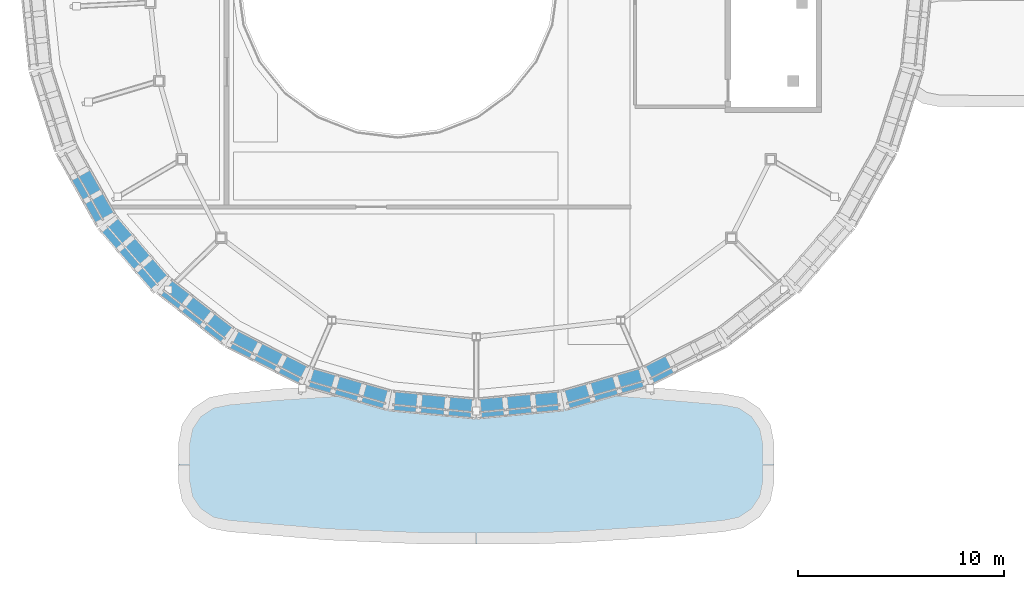
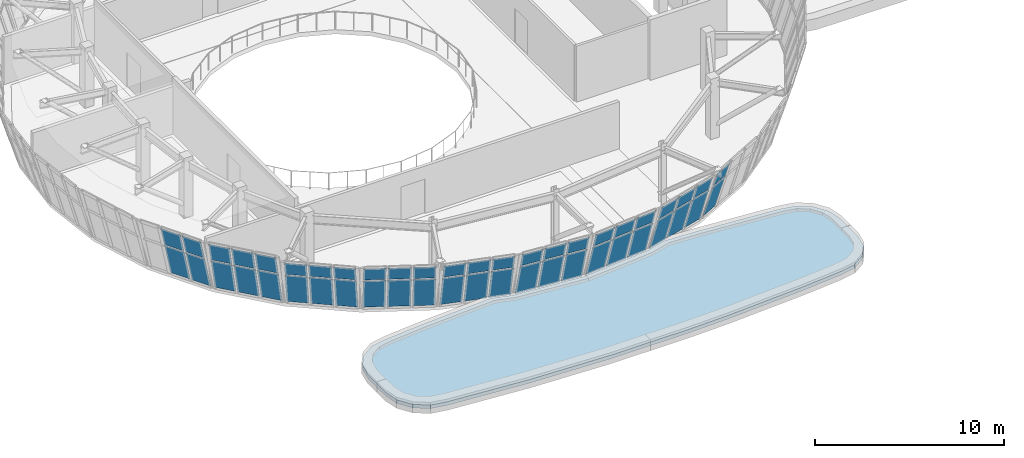
# One storey, part 62 of 111: 48 plates, 1 slab, 9 elements without a shape of their own.
"""IFC4 building model written with IfcOpenShell, lengths in metres."""

from ifc_helpers import new_model, si_unit, direction, frame, origin, place, context, subcontext, project, spatial, polyline, outline, extrude, material, layer, layer_set, type_object, element, aggregate, save


model = new_model("IFC4")

# Units and contexts
model_context = context("Model", 3, precision=1e-05, world=origin(), true_north=direction((0.0, 1.0)))
body_context = subcontext(model_context, "Body", "Model", "MODEL_VIEW")
ifc_project = project(units=[si_unit("LENGTHUNIT", "METRE"), si_unit("AREAUNIT", "SQUARE_METRE"), si_unit("VOLUMEUNIT", "CUBIC_METRE"), si_unit("PLANEANGLEUNIT", "RADIAN"), si_unit("MASSUNIT", "GRAM", prefix="KILO")], contexts=[model_context])

# Site, building, storey
site_placement = place(None, origin())
site = spatial("IfcSite", under=ifc_project, at=site_placement, CompositionType="ELEMENT")
building_placement = place(site_placement, origin())
building = spatial("IfcBuilding", under=site, at=building_placement, Name="Corveleigh Park Community Centre", CompositionType="ELEMENT")
storey_placement = place(building_placement, frame((0.0, 0.0, 4.800048828125)))
storey = spatial("IfcBuildingStorey", under=building, at=storey_placement, Name="L01", CompositionType="ELEMENT", Elevation=4.800048828125)

# Curtain wall, plates
ifc_material_1 = material(Name="Anodised aluminium 6063-T6", Category="aluminium")
curtain_wall_type = type_object("IfcCurtainWallType", Name="CW-SYS-V1-DRUM", PredefinedType="NOTDEFINED", material=ifc_material_1)
curtain_wall_1_placement = place(storey_placement, origin())
curtain_wall_1 = element("IfcCurtainWall", 1, at=curtain_wall_1_placement, inside=storey, type_object=curtain_wall_type, Name="Main Hall Flared Drum CW 180", PredefinedType="NOTDEFINED")
ifc_material_2 = material(Name="Low-E double glazing", Category="glass")
ifc_layer_1 = layer(ifc_material_2, 0.02392578125, Name="Low-E double glazing", Category="glass")
ifc_layer_set_1 = layer_set([ifc_layer_1], Name="Low-E double glazing")
plate_type = type_object("IfcPlateType", Name="CWP-GLZ-24", PredefinedType="CURTAIN_PANEL", material=ifc_layer_set_1)
plate_1_placement = place(storey_placement, frame((12.250244140625, 18.7373046875, 0.079833984375), z_axis=(0.83618582548, 0.469189956061, 0.28399656758), x_axis=(0.489332170928, -0.872097486482, 2.3789309e-05)))
plate_1 = element("IfcPlate", 2, at=plate_1_placement, type_object=plate_type, Name="CW02 panel 2.1", PredefinedType="CURTAIN_PANEL", context=body_context, shape_type="SweptSolid", body=[
    extrude(outline(polyline([(0.0, 0.0), (1.2185521289219146, 2.7755575615628914e-17), (1.218782964132827, -2.221570464498728), (0.0001113693488693141, -2.2216309341897587), (0.0, 0.0)])), origin(), (0.0, 0.0, -1.0), 0.02392578125),
])
plate_2_placement = place(storey_placement, frame((11.67919921875, 18.4169921875, 2.2900390625), z_axis=(0.836163859069, 0.469219778961, 0.28401197126), x_axis=(0.489368300675, -0.872077213391, 1.3346287e-05)))
plate_2 = element("IfcPlate", 3, at=plate_2_placement, type_object=plate_type, Name="CW02 panel 2.2", PredefinedType="CURTAIN_PANEL", context=body_context, shape_type="SweptSolid", body=[
    extrude(outline(polyline([(0.0, 0.0), (1.2188845082164932, 2.7755575615628914e-17), (1.2188256341303279, -1.295265161153256), (0.00015403538975997775, -1.2952990906688968), (0.0, 0.0)])), origin(), (0.0, 0.0, -1.0), 0.02392578125),
])
plate_3_placement = place(storey_placement, frame((12.88818359375, 17.600341796875, 0.079833984375), z_axis=(0.836191551865, 0.469194712251, 0.283971848226), x_axis=(0.48932960339, -0.872098926594, 3.847031e-05)))
plate_3 = element("IfcPlate", 4, at=plate_3_placement, type_object=plate_type, Name="CW02 panel 3.1", PredefinedType="CURTAIN_PANEL", context=body_context, shape_type="SweptSolid", body=[
    extrude(outline(polyline([(0.0, 0.0), (1.1762474523285567, 0.0), (1.1762985021899144, -2.221536545792614), (0.00014449940315540993, -2.2216309289120977), (0.0, 0.0)])), origin(), (0.0, 0.0, -1.0), 0.02392578125),
])
plate_4_placement = place(storey_placement, frame((12.317138671875, 17.280029296875, 2.2900390625), z_axis=(0.836138720718, 0.469264572999, 0.284011972009), x_axis=(0.48941489379, -0.872051065905, 1.3829984e-05)))
plate_4 = element("IfcPlate", 5, at=plate_4_placement, type_object=plate_type, Name="CW02 panel 3.2", PredefinedType="CURTAIN_PANEL", context=body_context, shape_type="SweptSolid", body=[
    extrude(outline(polyline([(0.0, 0.0), (1.1763669185761039, 0.0), (1.1762889933464469, -1.2952651601469718), (0.00013497786260468692, -1.2952990927947576), (0.0, 0.0)])), origin(), (0.0, 0.0, -1.0), 0.02392578125),
])
aggregate(curtain_wall_1, [plate_1, plate_2, plate_3, plate_4])

curtain_wall_2_placement = place(storey_placement, origin())
curtain_wall_2 = element("IfcCurtainWall", 6, at=curtain_wall_2_placement, inside=storey, type_object=curtain_wall_type, Name="Main Hall Flared Drum CW 181", PredefinedType="NOTDEFINED")
plate_5_placement = place(storey_placement, frame((13.593505859375, 16.38916015625, 0.079833984375), z_axis=(0.726283157849, 0.625960189454, 0.28405389602), x_axis=(0.652856372354, -0.757481720402, -1.8258943e-05)))
plate_5 = element("IfcPlate", 7, at=plate_5_placement, type_object=plate_type, Name="CW02 panel 1.1", PredefinedType="CURTAIN_PANEL", context=body_context, shape_type="SweptSolid", body=[
    extrude(outline(polyline([(0.0, 0.0), (1.1887263165421045, 0.0), (1.188769543516847, -2.2216626897569154), (-0.00014170508590239454, -2.2216174115202767), (0.0, 0.0)])), origin(), (0.0, 0.0, -1.0), 0.02392578125),
])
plate_6_placement = place(storey_placement, frame((13.09765625, 15.961669921875, 2.2900390625), z_axis=(0.726225860196, 0.625995664198, 0.284122206785), x_axis=(0.652903056382, -0.757441482207, 0.0)))
plate_6 = element("IfcPlate", 8, at=plate_6_placement, type_object=plate_type, Name="CW02 panel 1.2", PredefinedType="CURTAIN_PANEL", context=body_context, shape_type="SweptSolid", body=[
    extrude(outline(polyline([(0.0, 0.0), (1.1887263189979533, 0.0), (1.188654817070141, -1.2953262483496686), (-7.150192781239224e-05, -1.2953262483496686), (0.0, 0.0)])), origin(), (0.0, 0.0, -1.0), 0.02392578125),
])
plate_7_placement = place(storey_placement, frame((14.425048828125, 15.42431640625, 0.079833984375), z_axis=(0.726283689253, 0.625991897085, 0.283982653535), x_axis=(0.652875562368, -0.757465180483, -2.0447564e-05)))
plate_7 = element("IfcPlate", 9, at=plate_7_placement, type_object=plate_type, Name="CW02 panel 2.1", PredefinedType="CURTAIN_PANEL", context=body_context, shape_type="SweptSolid", body=[
    extrude(outline(polyline([(0.0, 0.0), (1.2313076700009635, 2.7755575615628914e-17), (1.2311453173061309, -2.221617409652362), (-2.9592469889881844e-06, -2.2215648964267993), (0.0, 0.0)])), origin(), (0.0, 0.0, -1.0), 0.02392578125),
])
plate_8_placement = place(storey_placement, frame((13.92919921875, 14.996826171875, 2.2900390625), z_axis=(0.72626710057, 0.625977599117, 0.28405658597), x_axis=(0.652875564757, -0.757465178424, -2.045242e-05)))
plate_8 = element("IfcPlate", 10, at=plate_8_placement, type_object=plate_type, Name="CW02 panel 2.2", PredefinedType="CURTAIN_PANEL", context=body_context, shape_type="SweptSolid", body=[
    extrude(outline(polyline([(0.0, 0.0), (1.2313076700011092, -2.7755575615628914e-17), (1.2312241248729792, -1.2953262445949825), (7.58483202969595e-05, -1.2952737176980542), (0.0, 0.0)])), origin(), (0.0, 0.0, -1.0), 0.02392578125),
])
plate_9_placement = place(storey_placement, frame((15.284423828125, 14.42724609375, 0.079833984375), z_axis=(0.726248591383, 0.626015258136, 0.284020914889), x_axis=(0.652903056382, -0.757441482207, 0.0)))
plate_9 = element("IfcPlate", 11, at=plate_9_placement, type_object=plate_type, Name="CW02 panel 3.1", PredefinedType="CURTAIN_PANEL", context=body_context, shape_type="SweptSolid", body=[
    extrude(outline(polyline([(0.0, 0.0), (1.1887263189979533, 0.0), (1.1885846188240419, -2.221617412834647), (-0.00014170017391160777, -2.221617412834647), (0.0, 0.0)])), origin(), (0.0, 0.0, -1.0), 0.02392578125),
])
plate_10_placement = place(storey_placement, frame((14.78857421875, 14.0, 2.2900390625), z_axis=(0.726225860196, 0.625995664198, 0.284122206785), x_axis=(0.652903056382, -0.757441482207, 0.0)))
plate_10 = element("IfcPlate", 12, at=plate_10_placement, type_object=plate_type, Name="CW02 panel 3.2", PredefinedType="CURTAIN_PANEL", context=body_context, shape_type="SweptSolid", body=[
    extrude(outline(polyline([(0.0, 0.0), (1.1887263189979533, 0.0), (1.188654817070141, -1.2953262483496686), (-7.150192781239224e-05, -1.2953262483496686), (0.0, 0.0)])), origin(), (0.0, 0.0, -1.0), 0.02392578125),
])
aggregate(curtain_wall_2, [plate_5, plate_6, plate_7, plate_8, plate_9, plate_10])

curtain_wall_3_placement = place(storey_placement, origin())
curtain_wall_3 = element("IfcCurtainWall", 13, at=curtain_wall_3_placement, inside=storey, type_object=curtain_wall_type, Name="Main Hall Flared Drum CW 182", PredefinedType="NOTDEFINED")
plate_11_placement = place(storey_placement, frame((16.223388671875, 13.37109375, 0.079833984375), z_axis=(0.590486787937, 0.755468582224, 0.283888313505), x_axis=(0.78787714697, -0.615832444562, 3.8810959e-05)))
plate_11 = element("IfcPlate", 14, at=plate_11_placement, type_object=plate_type, Name="CW02 panel 1.1", PredefinedType="CURTAIN_PANEL", context=body_context, shape_type="SweptSolid", body=[
    extrude(outline(polyline([(0.0, 0.0), (1.2018045771152082, -5.551115123125783e-17), (1.2020079429894235, -2.2214777774251235), (0.00016136277304139586, -2.2215750682336424), (0.0, 0.0)])), origin(), (0.0, 0.0, -1.0), 0.02392578125),
])
plate_12_placement = place(storey_placement, frame((15.8203125, 12.85546875, 2.2900390625), z_axis=(0.590506992761, 0.755467224578, 0.28384989711), x_axis=(0.787873462952, -0.615837158977, 0.0)))
plate_12 = element("IfcPlate", 15, at=plate_12_placement, type_object=plate_type, Name="CW02 panel 1.2", PredefinedType="CURTAIN_PANEL", context=body_context, shape_type="SweptSolid", body=[
    extrude(outline(polyline([(0.0, 0.0), (1.2019969308610854, -2.7755575615628914e-17), (1.2020138403750338, -0.9344304057252131), (1.6909513948476507e-05, -0.9344304057252131), (0.0, 0.0)])), origin(), (0.0, 0.0, -1.0), 0.02392578125),
])
plate_13_placement = place(storey_placement, frame((17.2373046875, 12.57861328125, 0.079833984375), z_axis=(0.590517244095, 0.75543308429, 0.283919424462), x_axis=(0.787850934094, -0.615865979905, 2.1042411e-05)))
plate_13 = element("IfcPlate", 16, at=plate_13_placement, type_object=plate_type, Name="CW02 panel 2.1", PredefinedType="CURTAIN_PANEL", context=body_context, shape_type="SweptSolid", body=[
    extrude(outline(polyline([(0.0, 0.0), (1.244244338698588, 2.7755575615628914e-17), (1.2442443455330832, -2.2215204653159235), (0.0001503647397453133, -2.2215750731669646), (0.0, 0.0)])), origin(), (0.0, 0.0, -1.0), 0.02392578125),
])
plate_14_placement = place(storey_placement, frame((16.834228515625, 12.06298828125, 2.2900390625), z_axis=(0.59052918009, 0.755422084311, 0.283923866551), x_axis=(0.787847379464, -0.615870527304, -1.6446766e-05)))
plate_14 = element("IfcPlate", 17, at=plate_14_placement, type_object=plate_type, Name="CW02 panel 2.2", PredefinedType="CURTAIN_PANEL", context=body_context, shape_type="SweptSolid", body=[
    extrude(outline(polyline([(0.0, 0.0), (1.2444366848470259, 0.0), (1.24425774624839, -0.9344730904812866), (1.3406952990957478e-05, -0.9344304030015121), (0.0, 0.0)])), origin(), (0.0, 0.0, -1.0), 0.02392578125),
])
plate_15_placement = place(storey_placement, frame((18.28466796875, 11.759765625, 0.079833984375), z_axis=(0.590528371741, 0.755424385819, 0.283919424272), x_axis=(0.787849672837, -0.615867593348, -2.1787964e-05)))
plate_15 = element("IfcPlate", 18, at=plate_15_placement, type_object=plate_type, Name="CW02 panel 3.1", PredefinedType="CURTAIN_PANEL", context=body_context, shape_type="SweptSolid", body=[
    extrude(outline(polyline([(0.0, 0.0), (1.2016542252682703, -5.551115123125783e-17), (1.2017146477753406, -2.2215750774339527), (-8.993579208681375e-05, -2.2215204634954917), (0.0, 0.0)])), origin(), (0.0, 0.0, -1.0), 0.02392578125),
])
plate_16_placement = place(storey_placement, frame((17.881591796875, 11.244384765625, 2.2900390625), z_axis=(0.590601501057, 0.755393344689, 0.283849892987), x_axis=(0.787796412937, -0.615935720481, 0.0)))
plate_16 = element("IfcPlate", 19, at=plate_16_placement, type_object=plate_type, Name="CW02 panel 3.2", PredefinedType="CURTAIN_PANEL", context=body_context, shape_type="SweptSolid", body=[
    extrude(outline(polyline([(0.0, 0.0), (1.2018045883461863, 0.0), (1.2018546802594696, -0.934430404535575), (5.009191328347873e-05, -0.934430404535575), (0.0, 0.0)])), origin(), (0.0, 0.0, -1.0), 0.02392578125),
])
aggregate(curtain_wall_3, [plate_11, plate_12, plate_13, plate_14, plate_15, plate_16])

curtain_wall_4_placement = place(storey_placement, origin())
curtain_wall_4 = element("IfcCurtainWall", 20, at=curtain_wall_4_placement, inside=storey, type_object=curtain_wall_type, Name="Main Hall Flared Drum CW 183", PredefinedType="NOTDEFINED")
plate_17_placement = place(storey_placement, frame((19.419921875, 10.900390625, 0.079833984375), z_axis=(0.43527937926, 0.854365902958, 0.28388512792), x_axis=(0.891024153867, -0.453955897886, 0.0)))
plate_17 = element("IfcPlate", 21, at=plate_17_placement, type_object=plate_type, Name="CW02 panel 1.1", PredefinedType="CURTAIN_PANEL", context=body_context, shape_type="SweptSolid", body=[
    extrude(outline(polyline([(0.0, 0.0), (1.2143680340247587, 0.0), (1.21454532128109, -2.2215242432618902), (0.00017728725633131548, -2.2215242432618902), (0.0, 0.0)])), origin(), (0.0, 0.0, -1.0), 0.02392578125),
])
plate_18_placement = place(storey_placement, frame((19.123046875, 10.317138671875, 2.2900390625), z_axis=(0.435134371748, 0.85445969676, 0.283825131263), x_axis=(0.891105466146, -0.453796262882, 0.0)))
plate_18 = element("IfcPlate", 22, at=plate_18_placement, type_object=plate_type, Name="CW02 panel 1.2", PredefinedType="CURTAIN_PANEL", context=body_context, shape_type="SweptSolid", body=[
    extrude(outline(polyline([(0.0, 0.0), (1.214257224433932, -2.7755575615628914e-17), (1.2142474069679823, -0.9344232616394489), (-9.817465949718312e-06, -0.9344232616394489), (0.0, 0.0)])), origin(), (0.0, 0.0, -1.0), 0.02392578125),
])
plate_19_placement = place(storey_placement, frame((20.577880859375, 10.310546875, 0.079833984375), z_axis=(0.435129928287, 0.854426789834, 0.283930988662), x_axis=(0.89110027264, -0.453806461061, 0.0)))
plate_19 = element("IfcPlate", 23, at=plate_19_placement, type_object=plate_type, Name="CW02 panel 2.1", PredefinedType="CURTAIN_PANEL", context=body_context, shape_type="SweptSolid", body=[
    extrude(outline(polyline([(0.0, 0.0), (1.2567306747164828, 0.0), (1.256584642869759, -2.2215557040951697), (-0.00014603184672390412, -2.2215557040951697), (0.0, 0.0)])), origin(), (0.0, 0.0, -1.0), 0.02392578125),
])
plate_20_placement = place(storey_placement, frame((20.28076171875, 9.7275390625, 2.2900390625), z_axis=(0.435203722068, 0.854388817943, 0.283932153994), x_axis=(0.891064158349, -0.453877367965, -2.3563401e-05)))
plate_20 = element("IfcPlate", 24, at=plate_20_placement, type_object=plate_type, Name="CW02 panel 2.2", PredefinedType="CURTAIN_PANEL", context=body_context, shape_type="SweptSolid", body=[
    extrude(outline(polyline([(0.0, 0.0), (1.2567306703887642, 2.7755575615628914e-17), (1.2568346893855358, -0.9344850263587496), (-6.790907516905907e-06, -0.9344232558458819), (0.0, 0.0)])), origin(), (0.0, 0.0, -1.0), 0.02392578125),
])
plate_21_placement = place(storey_placement, frame((21.7734375, 9.70166015625, 0.079833984375), z_axis=(0.435208898951, 0.854416761972, 0.283840115444), x_axis=(0.891061536117, -0.45388251592, 2.4378292e-05)))
plate_21 = element("IfcPlate", 25, at=plate_21_placement, type_object=plate_type, Name="CW02 panel 3.1", PredefinedType="CURTAIN_PANEL", context=body_context, shape_type="SweptSolid", body=[
    extrude(outline(polyline([(0.0, 0.0), (1.2143680295457768, -2.7755575615628914e-17), (1.2144344966836846, -2.221462495599473), (0.0001772782990212701, -2.2215242408142264), (0.0, 0.0)])), origin(), (0.0, 0.0, -1.0), 0.02392578125),
])
plate_22_placement = place(storey_placement, frame((21.4765625, 9.11865234375, 2.2900390625), z_axis=(0.435150225044, 0.85439795017, 0.283986662343), x_axis=(0.89108056881, -0.453845148189, 3.6812495e-05)))
plate_22 = element("IfcPlate", 26, at=plate_22_placement, type_object=plate_type, Name="CW02 panel 3.2", PredefinedType="CURTAIN_PANEL", context=body_context, shape_type="SweptSolid", body=[
    extrude(outline(polyline([(0.0, 0.0), (1.2143680238220629, -2.7755575615628914e-17), (1.2144057398570243, -0.9344232476705264), (-6.903089390097042e-05, -0.934516498744507), (0.0, 0.0)])), origin(), (0.0, 0.0, -1.0), 0.02392578125),
])
aggregate(curtain_wall_4, [plate_17, plate_18, plate_19, plate_20, plate_21, plate_22])

curtain_wall_5_placement = place(storey_placement, origin())
curtain_wall_5 = element("IfcCurtainWall", 27, at=curtain_wall_5_placement, inside=storey, type_object=curtain_wall_type, Name="Main Hall Flared Drum CW 184", PredefinedType="NOTDEFINED")
plate_23_placement = place(storey_placement, frame((23.06298828125, 9.068603515625, 0.079833984375), z_axis=(0.266088376999, 0.921207727639, 0.283854360832), x_axis=(0.960727596195, -0.277493215731, -3.365145e-05)))
plate_23 = element("IfcPlate", 28, at=plate_23_placement, type_object=plate_type, Name="CW02 panel 1.1", PredefinedType="CURTAIN_PANEL", context=body_context, shape_type="SweptSolid", body=[
    extrude(outline(polyline([(0.0, 0.0), (1.2225338237170578, 0.0), (1.2224368671908592, -2.221546043180858), (6.98487424693186e-05, -2.2214602393890073), (0.0, 0.0)])), origin(), (0.0, 0.0, -1.0), 0.02392578125),
])
plate_24_placement = place(storey_placement, frame((22.881591796875, 8.43994140625, 2.2900390625), z_axis=(0.265995449782, 0.921217502645, 0.283909727758), x_axis=(0.960750831405, -0.277412760877, 7.542008e-06)))
plate_24 = element("IfcPlate", 29, at=plate_24_placement, type_object=plate_type, Name="CW02 panel 1.2", PredefinedType="CURTAIN_PANEL", context=body_context, shape_type="SweptSolid", body=[
    extrude(outline(polyline([(0.0, 0.0), (1.2222992734172373, -1.3877787807814457e-17), (1.2224117248995803, -0.9344380529734532), (-0.00012210682610552402, -0.934457283229617), (0.0, 0.0)])), origin(), (0.0, 0.0, -1.0), 0.02392578125),
])
plate_25_placement = place(storey_placement, frame((24.3193359375, 8.705810546875, 0.079833984375), z_axis=(0.26610340468, 0.92118410883, 0.283916916822), x_axis=(0.960718756836, -0.277523819271, 0.0)))
plate_25 = element("IfcPlate", 30, at=plate_25_placement, type_object=plate_type, Name="CW02 panel 2.1", PredefinedType="CURTAIN_PANEL", context=body_context, shape_type="SweptSolid", body=[
    extrude(outline(polyline([(0.0, 0.0), (1.2650237362410135, -1.3877787807814457e-17), (1.265018553325676, -2.221546050018316), (-5.1829153378257775e-06, -2.221546050018316), (0.0, 0.0)])), origin(), (0.0, 0.0, -1.0), 0.02392578125),
])
plate_26_placement = place(storey_placement, frame((24.1376953125, 8.0771484375, 2.2900390625), z_axis=(0.266101256367, 0.921176671903, 0.283943058553), x_axis=(0.960718756836, -0.277523819271, 0.0)))
plate_26 = element("IfcPlate", 31, at=plate_26_placement, type_object=plate_type, Name="CW02 panel 2.2", PredefinedType="CURTAIN_PANEL", context=body_context, shape_type="SweptSolid", body=[
    extrude(outline(polyline([(0.0, 0.0), (1.2650237362410135, 1.3877787807814457e-17), (1.2649255435540678, -0.9344572866126412), (-9.81926869459554e-05, -0.9344572866126412), (0.0, 0.0)])), origin(), (0.0, 0.0, -1.0), 0.02392578125),
])
plate_27_placement = place(storey_placement, frame((25.6162109375, 8.3310546875, 0.079833984375), z_axis=(0.266061700526, 0.921211112795, 0.283868380021), x_axis=(0.960734665572, -0.277468740017, -2.6111111e-05)))
plate_27 = element("IfcPlate", 32, at=plate_27_placement, type_object=plate_type, Name="CW02 panel 3.1", PredefinedType="CURTAIN_PANEL", context=body_context, shape_type="SweptSolid", body=[
    extrude(outline(polyline([(0.0, 0.0), (1.2225338271362594, 4.163336342344337e-17), (1.2224368637719287, -2.2215460450621722), (-0.00016470475593634916, -2.221479460799401), (0.0, 0.0)])), origin(), (0.0, 0.0, -1.0), 0.02392578125),
])
plate_28_placement = place(storey_placement, frame((25.4345703125, 7.702392578125, 2.2900390625), z_axis=(0.265972668509, 0.921234347154, 0.283876411894), x_axis=(0.960759134704, -0.277384002932, 0.0)))
plate_28 = element("IfcPlate", 33, at=plate_28_placement, type_object=plate_type, Name="CW02 panel 3.2", PredefinedType="CURTAIN_PANEL", context=body_context, shape_type="SweptSolid", body=[
    extrude(outline(polyline([(0.0, 0.0), (1.222533832308129, 0.0), (1.2226315860958905, -0.9344380551907446), (9.775378776147314e-05, -0.9344380551907446), (0.0, 0.0)])), origin(), (0.0, 0.0, -1.0), 0.02392578125),
])
aggregate(curtain_wall_5, [plate_23, plate_24, plate_25, plate_26, plate_27, plate_28])

curtain_wall_6_placement = place(storey_placement, origin())
curtain_wall_6 = element("IfcCurtainWall", 34, at=curtain_wall_6_placement, inside=storey, type_object=curtain_wall_type, Name="Main Hall Flared Drum CW 185", PredefinedType="NOTDEFINED")
plate_29_placement = place(storey_placement, frame((27.010498046875, 7.950439453125, 0.079833984375), z_axis=(0.089638964178, 0.954654968497, 0.283899184966), x_axis=(0.99562057061, -0.093486252316, 2.531165e-06)))
plate_29 = element("IfcPlate", 35, at=plate_29_placement, type_object=plate_type, Name="CW02 panel 1.1", PredefinedType="CURTAIN_PANEL", context=body_context, shape_type="SweptSolid", body=[
    extrude(outline(polyline([(0.0, 0.0), (1.2272996812721844, -6.938893903907228e-18), (1.227427651939099, -2.221530645692384), (-0.00011510076145723116, -2.221537125938289), (0.0, 0.0)])), origin(), (0.0, 0.0, -1.0), 0.02392578125),
])
plate_30_placement = place(storey_placement, frame((26.94921875, 7.299072265625, 2.2900390625), z_axis=(0.089638097214, 0.954645735333, 0.283930504768), x_axis=(0.995620710733, -0.09348476, -2.530918e-06)))
plate_30 = element("IfcPlate", 36, at=plate_30_placement, type_object=plate_type, Name="CW02 panel 1.2", PredefinedType="CURTAIN_PANEL", context=body_context, shape_type="SweptSolid", body=[
    extrude(outline(polyline([(0.0, 0.0), (1.2275427527176617, 0.0), (1.2274421446500643, -0.9344569035797278), (0.0001424633949841448, -0.9344504239022462), (0.0, 0.0)])), origin(), (0.0, 0.0, -1.0), 0.02392578125),
])
plate_31_placement = place(storey_placement, frame((28.317138671875, 7.827880859375, 0.079833984375), z_axis=(0.089768365224, 0.954641403476, 0.283903912221), x_axis=(0.995607946875, -0.093620596665, 0.0)))
plate_31 = element("IfcPlate", 37, at=plate_31_placement, type_object=plate_type, Name="CW02 panel 2.1", PredefinedType="CURTAIN_PANEL", context=body_context, shape_type="SweptSolid", body=[
    extrude(outline(polyline([(0.0, 0.0), (1.2699821258398474, 0.0), (1.2699467380172582, -2.221537128665144), (-3.538782258917662e-05, -2.221537128665144), (0.0, 0.0)])), origin(), (0.0, 0.0, -1.0), 0.02392578125),
])
plate_32_placement = place(storey_placement, frame((28.255859375, 7.17626953125, 2.2900390625), z_axis=(0.089585221352, 0.95465403577, 0.283919284485), x_axis=(0.995625847483, -0.093430037049, 0.0)))
plate_32 = element("IfcPlate", 38, at=plate_32_placement, type_object=plate_type, Name="CW02 panel 2.2", PredefinedType="CURTAIN_PANEL", context=body_context, shape_type="SweptSolid", body=[
    extrude(outline(polyline([(0.0, 0.0), (1.2699592925103274, 0.0), (1.2700894413118968, -0.9344504257626118), (0.0001301488015694116, -0.9344504257626118), (0.0, 0.0)])), origin(), (0.0, 0.0, -1.0), 0.02392578125),
])
plate_33_placement = place(storey_placement, frame((29.666015625, 7.701171875, 0.079833984375), z_axis=(0.089638964178, 0.954654968497, 0.283899184966), x_axis=(0.995620710718, -0.093484760164, -2.530664e-06)))
plate_33 = element("IfcPlate", 39, at=plate_33_placement, type_object=plate_type, Name="CW02 panel 3.1", PredefinedType="CURTAIN_PANEL", context=body_context, shape_type="SweptSolid", body=[
    extrude(outline(polyline([(0.0, 0.0), (1.2275427527176608, 0.0), (1.2274159243753684, -2.221537125299712), (0.00011624312028513459, -2.2215306463369906), (0.0, 0.0)])), origin(), (0.0, 0.0, -1.0), 0.02392578125),
])
plate_34_placement = place(storey_placement, frame((29.60498046875, 7.049560546875, 2.2900390625), z_axis=(0.089638097214, 0.954645735333, 0.283930504768), x_axis=(0.995620570594, -0.093486252481, 2.531419e-06)))
plate_34 = element("IfcPlate", 40, at=plate_34_placement, type_object=plate_type, Name="CW02 panel 3.2", PredefinedType="CURTAIN_PANEL", context=body_context, shape_type="SweptSolid", body=[
    extrude(outline(polyline([(0.0, 0.0), (1.2272996812721852, 0.0), (1.2274470782114857, -0.9344504231370696), (-9.567448906729805e-05, -0.9344569040978764), (0.0, 0.0)])), origin(), (0.0, 0.0, -1.0), 0.02392578125),
])
aggregate(curtain_wall_6, [plate_29, plate_30, plate_31, plate_32, plate_33, plate_34])

curtain_wall_7_placement = place(storey_placement, origin())
curtain_wall_7 = element("IfcCurtainWall", 41, at=curtain_wall_7_placement, inside=storey, type_object=curtain_wall_type, Name="Main Hall Flared Drum CW 186", PredefinedType="NOTDEFINED")
plate_35_placement = place(storey_placement, frame((31.11181640625, 7.58642578125, 0.079833984375), z_axis=(-0.089638964178, 0.954654968497, 0.283899184966), x_axis=(0.995620710718, 0.093484760164, 2.530664e-06)))
plate_35 = element("IfcPlate", 42, at=plate_35_placement, type_object=plate_type, Name="CW02 panel 1.1", PredefinedType="CURTAIN_PANEL", context=body_context, shape_type="SweptSolid", body=[
    extrude(outline(polyline([(0.0, 0.0), (1.2275427527176608, 0.0), (1.2274265095973755, -2.2215306463369906), (0.00012682834229249881, -2.221537125299712), (0.0, 0.0)])), origin(), (0.0, 0.0, -1.0), 0.02392578125),
])
plate_36_placement = place(storey_placement, frame((31.173095703125, 6.934814453125, 2.2900390625), z_axis=(-0.089638097214, 0.954645735333, 0.283930504768), x_axis=(0.995620570594, 0.093486252481, -2.531419e-06)))
plate_36 = element("IfcPlate", 43, at=plate_36_placement, type_object=plate_type, Name="CW02 panel 1.2", PredefinedType="CURTAIN_PANEL", context=body_context, shape_type="SweptSolid", body=[
    extrude(outline(polyline([(0.0, 0.0), (1.2272996812721852, 0.0), (1.2273953557612527, -0.9344569040978764), (-0.0001473969393004782, -0.9344504231370696), (0.0, 0.0)])), origin(), (0.0, 0.0, -1.0), 0.02392578125),
])
plate_37_placement = place(storey_placement, frame((32.41845703125, 7.708984375, 0.079833984375), z_axis=(-0.089768365224, 0.954641403476, 0.283903912221), x_axis=(0.995607946875, 0.093620596665, 0.0)))
plate_37 = element("IfcPlate", 44, at=plate_37_placement, type_object=plate_type, Name="CW02 panel 2.1", PredefinedType="CURTAIN_PANEL", context=body_context, shape_type="SweptSolid", body=[
    extrude(outline(polyline([(0.0, 0.0), (1.2699821258398474, 0.0), (1.2700175136624365, -2.221537128665144), (3.538782258917662e-05, -2.221537128665144), (0.0, 0.0)])), origin(), (0.0, 0.0, -1.0), 0.02392578125),
])
plate_38_placement = place(storey_placement, frame((32.479736328125, 7.0576171875, 2.2900390625), z_axis=(-0.089585221352, 0.95465403577, 0.283919284485), x_axis=(0.995625847483, 0.093430037049, 0.0)))
plate_38 = element("IfcPlate", 45, at=plate_38_placement, type_object=plate_type, Name="CW02 panel 2.2", PredefinedType="CURTAIN_PANEL", context=body_context, shape_type="SweptSolid", body=[
    extrude(outline(polyline([(0.0, 0.0), (1.2699592925103274, 0.0), (1.269829143708758, -0.9344504257626118), (-0.0001301488015694116, -0.9344504257626118), (0.0, 0.0)])), origin(), (0.0, 0.0, -1.0), 0.02392578125),
])
plate_39_placement = place(storey_placement, frame((33.767578125, 7.835693359375, 0.079833984375), z_axis=(-0.089638964178, 0.954654968497, 0.283899184966), x_axis=(0.99562057061, 0.093486252316, -2.531165e-06)))
plate_39 = element("IfcPlate", 46, at=plate_39_placement, type_object=plate_type, Name="CW02 panel 3.1", PredefinedType="CURTAIN_PANEL", context=body_context, shape_type="SweptSolid", body=[
    extrude(outline(polyline([(0.0, 0.0), (1.2272996812721844, 6.938893903907228e-18), (1.2274147820336416, -2.221537125938289), (-0.00012797066691431984, -2.221530645692384), (0.0, 0.0)])), origin(), (0.0, 0.0, -1.0), 0.02392578125),
])
plate_40_placement = place(storey_placement, frame((33.82861328125, 7.184326171875, 2.2900390625), z_axis=(-0.089638097214, 0.954645735333, 0.283930504768), x_axis=(0.995620710733, 0.09348476, 2.530918e-06)))
plate_40 = element("IfcPlate", 47, at=plate_40_placement, type_object=plate_type, Name="CW02 panel 3.2", PredefinedType="CURTAIN_PANEL", context=body_context, shape_type="SweptSolid", body=[
    extrude(outline(polyline([(0.0, 0.0), (1.2275427527176617, 0.0), (1.2274002893226776, -0.9344504239022462), (0.0001006080675972599, -0.9344569035797278), (0.0, 0.0)])), origin(), (0.0, 0.0, -1.0), 0.02392578125),
])
aggregate(curtain_wall_7, [plate_35, plate_36, plate_37, plate_38, plate_39, plate_40])

curtain_wall_8_placement = place(storey_placement, origin())
curtain_wall_8 = element("IfcCurtainWall", 48, at=curtain_wall_8_placement, inside=storey, type_object=curtain_wall_type, Name="Main Hall Flared Drum CW 187", PredefinedType="NOTDEFINED")
plate_41_placement = place(storey_placement, frame((35.209228515625, 7.991943359375, 0.079833984375), z_axis=(-0.266061700526, 0.921211112795, 0.283868380021), x_axis=(0.960734665572, 0.277468740017, 2.6111111e-05)))
plate_41 = element("IfcPlate", 49, at=plate_41_placement, type_object=plate_type, Name="CW02 panel 1.1", PredefinedType="CURTAIN_PANEL", context=body_context, shape_type="SweptSolid", body=[
    extrude(outline(polyline([(0.0, 0.0), (1.2225338271362594, -4.163336342344337e-17), (1.2226985318921957, -2.221479460799401), (9.696336433059129e-05, -2.2215460450621722), (0.0, 0.0)])), origin(), (0.0, 0.0, -1.0), 0.02392578125),
])
plate_42_placement = place(storey_placement, frame((35.390869140625, 7.36328125, 2.2900390625), z_axis=(-0.265972668509, 0.921234347154, 0.283876411894), x_axis=(0.960759134704, 0.277384002932, 0.0)))
plate_42 = element("IfcPlate", 50, at=plate_42_placement, type_object=plate_type, Name="CW02 panel 1.2", PredefinedType="CURTAIN_PANEL", context=body_context, shape_type="SweptSolid", body=[
    extrude(outline(polyline([(0.0, 0.0), (1.222533832308129, 0.0), (1.2224360785203676, -0.9344380551907446), (-9.775378776147314e-05, -0.9344380551907446), (0.0, 0.0)])), origin(), (0.0, 0.0, -1.0), 0.02392578125),
])
plate_43_placement = place(storey_placement, frame((36.46533203125, 8.354736328125, 0.079833984375), z_axis=(-0.26610340468, 0.92118410883, 0.283916916822), x_axis=(0.960718756836, 0.277523819271, 0.0)))
plate_43 = element("IfcPlate", 51, at=plate_43_placement, type_object=plate_type, Name="CW02 panel 2.1", PredefinedType="CURTAIN_PANEL", context=body_context, shape_type="SweptSolid", body=[
    extrude(outline(polyline([(0.0, 0.0), (1.2650237362410135, 1.3877787807814457e-17), (1.2650289191563515, -2.221546050018316), (5.1829153378257775e-06, -2.221546050018316), (0.0, 0.0)])), origin(), (0.0, 0.0, -1.0), 0.02392578125),
])
plate_44_placement = place(storey_placement, frame((36.64697265625, 7.72607421875, 2.2900390625), z_axis=(-0.266101256367, 0.921176671903, 0.283943058553), x_axis=(0.960718756836, 0.277523819271, 0.0)))
plate_44 = element("IfcPlate", 52, at=plate_44_placement, type_object=plate_type, Name="CW02 panel 2.2", PredefinedType="CURTAIN_PANEL", context=body_context, shape_type="SweptSolid", body=[
    extrude(outline(polyline([(0.0, 0.0), (1.2650237362410135, -1.3877787807814457e-17), (1.2651219289279596, -0.9344572866126412), (9.81926869459554e-05, -0.9344572866126412), (0.0, 0.0)])), origin(), (0.0, 0.0, -1.0), 0.02392578125),
])
plate_45_placement = place(storey_placement, frame((37.762451171875, 8.7294921875, 0.079833984375), z_axis=(-0.266088376999, 0.921207727639, 0.283854360832), x_axis=(0.960727596195, 0.277493215731, 3.365145e-05)))
plate_45 = element("IfcPlate", 53, at=plate_45_placement, type_object=plate_type, Name="CW02 panel 3.1", PredefinedType="CURTAIN_PANEL", context=body_context, shape_type="SweptSolid", body=[
    extrude(outline(polyline([(0.0, 0.0), (1.2225338237170578, 0.0), (1.2224639749745885, -2.2214602393890073), (9.69565261986225e-05, -2.221546043180858), (0.0, 0.0)])), origin(), (0.0, 0.0, -1.0), 0.02392578125),
])
plate_46_placement = place(storey_placement, frame((37.944091796875, 8.100830078125, 2.2900390625), z_axis=(-0.265995449782, 0.921217502645, 0.283909727758), x_axis=(0.960750831405, 0.277412760877, -7.542008e-06)))
plate_46 = element("IfcPlate", 54, at=plate_46_placement, type_object=plate_type, Name="CW02 panel 3.2", PredefinedType="CURTAIN_PANEL", context=body_context, shape_type="SweptSolid", body=[
    extrude(outline(polyline([(0.0, 0.0), (1.2222992734172373, 1.3877787807814457e-17), (1.222421380243343, -0.934457283229617), (-0.00011245148234300242, -0.9344380529734532), (0.0, 0.0)])), origin(), (0.0, 0.0, -1.0), 0.02392578125),
])
aggregate(curtain_wall_8, [plate_41, plate_42, plate_43, plate_44, plate_45, plate_46])

curtain_wall_9_placement = place(storey_placement, origin())
curtain_wall_9 = element("IfcCurtainWall", 55, at=curtain_wall_9_placement, inside=storey, type_object=curtain_wall_type, Name="Main Hall Flared Drum CW 188", PredefinedType="NOTDEFINED")
plate_47_placement = place(storey_placement, frame((39.14453125, 9.150390625, 0.079833984375), z_axis=(-0.435208898951, 0.854416761972, 0.283840115444), x_axis=(0.891061536117, 0.45388251592, -2.4378292e-05)))
plate_47 = element("IfcPlate", 56, at=plate_47_placement, type_object=plate_type, Name="CW02 panel 1.1", PredefinedType="CURTAIN_PANEL", context=body_context, shape_type="SweptSolid", body=[
    extrude(outline(polyline([(0.0, 0.0), (1.2143680295457768, 2.7755575615628914e-17), (1.2141907512467554, -2.2215242408142264), (-6.646713790793675e-05, -2.221462495599473), (0.0, 0.0)])), origin(), (0.0, 0.0, -1.0), 0.02392578125),
])
plate_48_placement = place(storey_placement, frame((39.44140625, 8.5673828125, 2.2900390625), z_axis=(-0.435150225044, 0.85439795017, 0.283986662343), x_axis=(0.89108056881, 0.453845148189, -3.6812495e-05)))
plate_48 = element("IfcPlate", 57, at=plate_48_placement, type_object=plate_type, Name="CW02 panel 1.2", PredefinedType="CURTAIN_PANEL", context=body_context, shape_type="SweptSolid", body=[
    extrude(outline(polyline([(0.0, 0.0), (1.2143680238220629, 2.7755575615628914e-17), (1.2144370547159637, -0.9345164987445069), (-3.7716034961396384e-05, -0.9344232476705264), (0.0, 0.0)])), origin(), (0.0, 0.0, -1.0), 0.02392578125),
])
aggregate(curtain_wall_9, [plate_47, plate_48])

# Slab
ifc_material_3 = material(Name="Concrete C32/40", Category="concrete")
ifc_layer_2 = layer(ifc_material_3, 0.22802734375, Name="Concrete C32/40", Category="concrete")
ifc_layer_set_2 = layer_set([ifc_layer_2], Name="Concrete C32/40")
slab_type = type_object("IfcSlabType", Name="SLB-ROF-228", PredefinedType="ROOF", material=ifc_layer_set_2)
slab_placement = place(storey_placement, frame((0.0, 0.0, -0.22802734375)))
element("IfcSlab", 58, at=slab_placement, inside=storey, type_object=slab_type, Name="Main Hall Entrance Colonnade Canopy", PredefinedType="ROOF", context=body_context, shape_type="SweptSolid", body=[
    extrude(outline(polyline([(38.222900390625, 8.2060546875), (43.02392578125, 7.800048828125), (43.93310546875, 7.618896484375), (44.7041015625, 7.10400390625), (45.218994140625, 6.3330078125), (45.39990234375, 5.424072265625), (45.403076171875, 4.80810546875), (45.39990234375, 3.575927734375), (45.218994140625, 2.6669921875), (44.7041015625, 1.89599609375), (43.93310546875, 1.381103515625), (43.02392578125, 1.199951171875), (40.6259765625, 0.971923828125), (35.81689453125, 0.6669921875), (33.408935546875, 0.591064453125), (28.591064453125, 0.591064453125), (23.777099609375, 0.7939453125), (18.97607421875, 1.199951171875), (18.06689453125, 1.381103515625), (17.2958984375, 1.89599609375), (16.781005859375, 2.6669921875), (16.60009765625, 3.575927734375), (16.596923828125, 4.19189453125), (16.60009765625, 5.424072265625), (16.781005859375, 6.3330078125), (17.2958984375, 7.10400390625), (18.06689453125, 7.618896484375), (18.97607421875, 7.800048828125), (21.3740234375, 8.028076171875), (25.72509765625, 8.30908203125), (26.902099609375, 7.968994140625), (31.0, 7.5849609375), (35.097900390625, 7.968994140625), (36.27490234375, 8.30908203125), (38.222900390625, 8.2060546875)])), origin(), (0.0, 0.0, 1.0), 0.22802734375),
])

save(model, "model.ifc")
